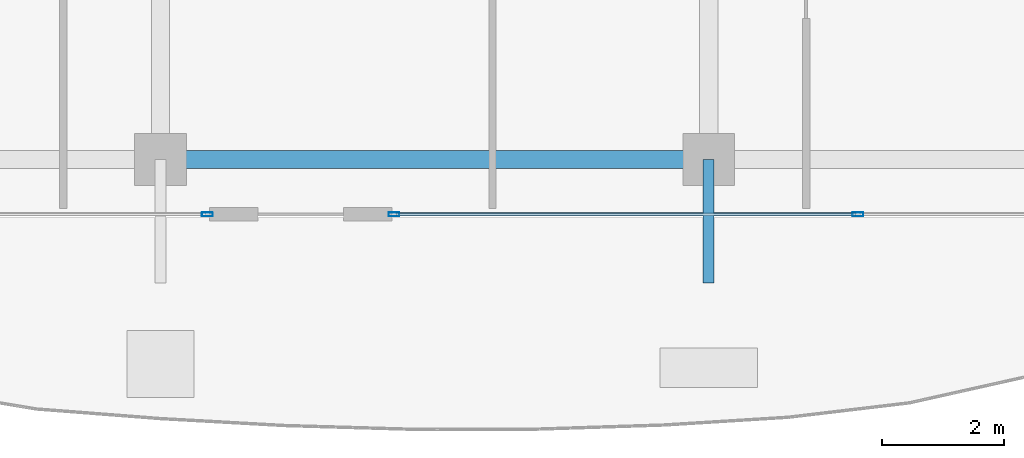
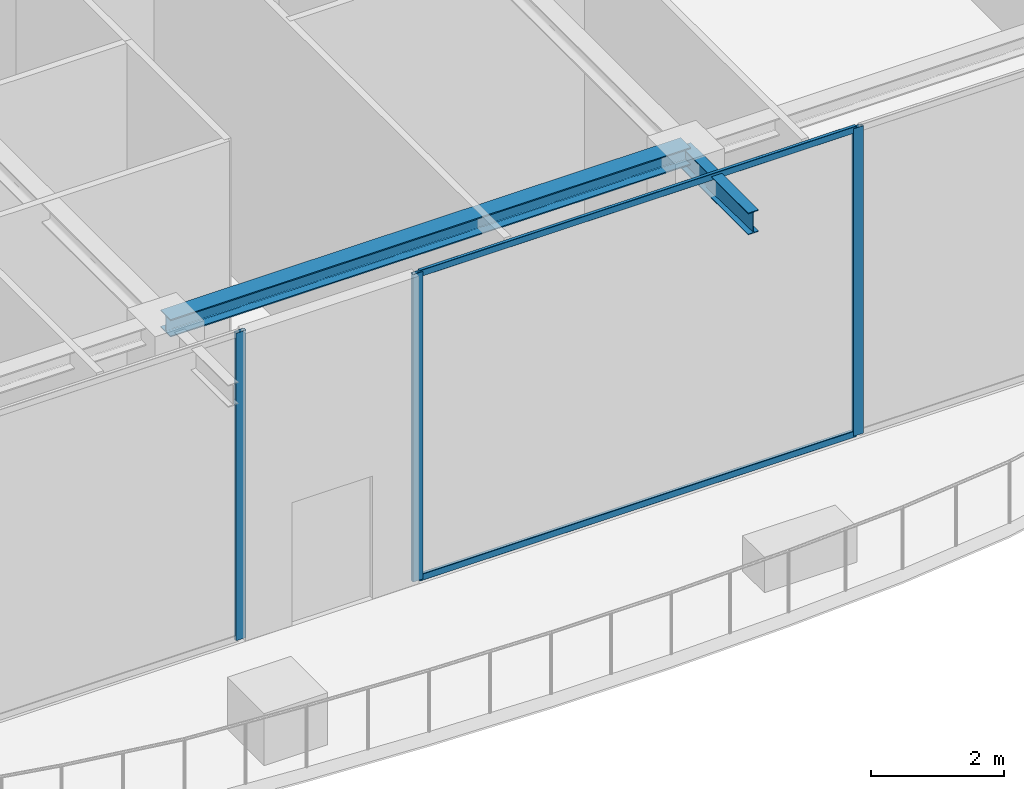
# One storey, part 6 of 38: 5 members, 2 beams, 2 elements without a shape of their own.
"""IFC4 building model written with IfcOpenShell, lengths in metres."""

from ifc_helpers import new_model, si_unit, direction, frame, origin, origin_2d, place, context, subcontext, project, spatial, hollow_rectangle, i_section, extrude, source, transform, mapped, material, layer, layer_set, material_profile, profile_set, type_object, element, aggregate, save


model = new_model("IFC4")

# Units and contexts
model_context = context("Model", 3, precision=1e-05, world=origin(), true_north=direction((0.0, 1.0)))
body_context = subcontext(model_context, "Body", "Model", "MODEL_VIEW")
ifc_project = project(units=[si_unit("LENGTHUNIT", "METRE"), si_unit("AREAUNIT", "SQUARE_METRE"), si_unit("VOLUMEUNIT", "CUBIC_METRE"), si_unit("PLANEANGLEUNIT", "RADIAN"), si_unit("MASSUNIT", "GRAM", prefix="KILO")], contexts=[model_context])

# Site, building, storey
site_placement = place(None, origin())
site = spatial("IfcSite", under=ifc_project, at=site_placement, CompositionType="ELEMENT")
building_placement = place(site_placement, origin())
building = spatial("IfcBuilding", under=site, at=building_placement, Name="Serunith Strait Residences", CompositionType="ELEMENT")
storey_placement = place(building_placement, frame((0.0, 0.0, 342.050048828125)))
storey = spatial("IfcBuildingStorey", under=building, at=storey_placement, Name="L85", CompositionType="ELEMENT", Elevation=342.050048828125)

# Beams
ifc_material_1 = material(Name="Steel S355J2", Category="steel")
ifc_material_profile_1 = material_profile(ifc_material_1, i_section(OverallWidth=0.300048828125, OverallDepth=0.320068359375, WebThickness=0.011474609375, FlangeThickness=0.0205078125, FilletRadius=0.027099609375, at=origin_2d()), Name="HEB 320")
ifc_profile_set_1 = profile_set([ifc_material_profile_1], Name="Steel S355J2")
beam_type_1 = type_object("IfcBeamType", Name="BM-HEB320", PredefinedType="BEAM", material=ifc_profile_set_1)
shared_shape_1 = source(origin(), body_context, "Body", "SweptSolid", [
    extrude(i_section(OverallWidth=0.300048828125, OverallDepth=0.320068359375, WebThickness=0.011474609375, FlangeThickness=0.0205078125, FilletRadius=0.027099609375, at=origin_2d()), origin(), (0.0, 0.0, 1.0), 9.0),
])
beam_1_placement = place(storey_placement, frame((27.89990234375, 4.89990234375, 5.47705078125), z_axis=(1.0, 0.0, 0.0), x_axis=(0.0, 1.0, 0.0)))
element("IfcBeam", 1, at=beam_1_placement, inside=storey, type_object=beam_type_1, Name="L85 Perimeter Ring Beam 02", PredefinedType="BEAM", context=body_context, shape_type="MappedRepresentation", body=[
    mapped(shared_shape_1, transform((0.0, 0.0, 0.0), scale=1.0)),
])
ifc_material_profile_2 = material_profile(ifc_material_1, i_section(OverallWidth=0.179931640625, OverallDepth=0.39990234375, WebThickness=0.008544921875, FlangeThickness=0.013427734375, FilletRadius=0.02099609375, at=origin_2d()), Name="IPE 400")
ifc_profile_set_2 = profile_set([ifc_material_profile_2], Name="Steel S355J2")
beam_type_2 = type_object("IfcBeamType", Name="BM-IPE400", PredefinedType="JOIST", material=ifc_profile_set_2)
shared_shape_2 = source(origin(), body_context, "Body", "SweptSolid", [
    extrude(i_section(OverallWidth=0.179931640625, OverallDepth=0.39990234375, WebThickness=0.008544921875, FlangeThickness=0.013427734375, FilletRadius=0.02099609375, at=origin_2d()), origin(), (0.0, 0.0, 1.0), 2.02978515625),
])
beam_2_placement = place(storey_placement, frame((36.89990234375, 4.89990234375, 5.406982421875), z_axis=(0.0, -1.0, 0.0), x_axis=(1.0, 0.0, 0.0)))
element("IfcBeam", 2, at=beam_2_placement, inside=storey, type_object=beam_type_2, Name="L86 Cantilevered Balcony Rib TC-S3", PredefinedType="JOIST", context=body_context, shape_type="MappedRepresentation", body=[
    mapped(shared_shape_2, transform((0.0, 0.0, 0.0), scale=1.0)),
])

# Curtain wall, members
ifc_material_2 = material(Name="Brushed Stainless-Silver Aluminium", Category="aluminium")
ifc_layer = layer(ifc_material_2, 0.199951171875, Name="Brushed Stainless-Silver Aluminium")
ifc_layer_set = layer_set([ifc_layer], Name="Brushed Stainless-Silver Aluminium")
curtain_wall_type = type_object("IfcCurtainWallType", Name="CW-SYS5", PredefinedType="NOTDEFINED", material=ifc_layer_set)
curtain_wall_1_placement = place(storey_placement, origin())
curtain_wall_1 = element("IfcCurtainWall", 3, at=curtain_wall_1_placement, inside=storey, type_object=curtain_wall_type, Name="L85 S Unitised Fritted Curtain Wall", PredefinedType="NOTDEFINED")
ifc_material_profile_3 = material_profile(ifc_material_2, hollow_rectangle(XDim=0.06005859375, YDim=0.1201171875, WallThickness=0.00341796875, InnerFilletRadius=0.00537109375, OuterFilletRadius=0.0087890625, at=origin_2d()), Name="ALU 120x60x3.5")
ifc_profile_set_3 = profile_set([ifc_material_profile_3], Name="Brushed Stainless-Silver Aluminium")
member_type_1 = type_object("IfcMemberType", Name="CW-SYS5-TRAN", PredefinedType="USERDEFINED", material=ifc_profile_set_3)
shared_shape_3 = source(origin(), body_context, "Body", "SweptSolid", [
    extrude(hollow_rectangle(XDim=0.06005859375, YDim=0.1201171875, WallThickness=0.00341796875, InnerFilletRadius=0.00537109375, OuterFilletRadius=0.0087890625, at=origin_2d()), origin(), (0.0, 0.0, 1.0), 7.552490234375),
])
member_1_placement = place(storey_placement, frame((31.764892578125, 4.0, 0.030029296875), z_axis=(1.0, 0.0, 0.0), x_axis=(0.0, 1.0, 0.0)))
member_1 = element("IfcMember", 4, at=member_1_placement, type_object=member_type_1, Name="CW-5 transom 1.1", ObjectType="TRANSOM", PredefinedType="USERDEFINED", context=body_context, shape_type="MappedRepresentation", body=[
    mapped(shared_shape_3, transform((0.0, 0.0, 0.0), scale=1.0)),
])
member_2_placement = place(storey_placement, frame((31.764892578125, 4.0, 5.594970703125), z_axis=(1.0, 0.0, 0.0), x_axis=(0.0, 1.0, 0.0)))
member_2 = element("IfcMember", 5, at=member_2_placement, type_object=member_type_1, Name="CW-5 transom 1.2", ObjectType="TRANSOM", PredefinedType="USERDEFINED", context=body_context, shape_type="MappedRepresentation", body=[
    mapped(shared_shape_3, transform((0.0, 0.0, 0.0), scale=1.0)),
])

# Curtain wall, member
curtain_wall_2_placement = place(storey_placement, origin())
curtain_wall_2 = element("IfcCurtainWall", 6, at=curtain_wall_2_placement, inside=storey, type_object=curtain_wall_type, Name="L85 S Unitised Fritted Curtain Wall", PredefinedType="NOTDEFINED")
ifc_material_profile_4 = material_profile(ifc_material_2, hollow_rectangle(XDim=0.06494140625, YDim=0.179931640625, WallThickness=0.00341796875, InnerFilletRadius=0.00537109375, OuterFilletRadius=0.0087890625, at=origin_2d()), Name="ALU 180x65x3.5")
ifc_profile_set_4 = profile_set([ifc_material_profile_4], Name="Brushed Stainless-Silver Aluminium")
member_type_2 = type_object("IfcMemberType", Name="CW-SYS5-MULL", PredefinedType="MULLION", material=ifc_profile_set_4)
shared_shape_4 = source(origin(), body_context, "Body", "SweptSolid", [
    extrude(hollow_rectangle(XDim=0.06494140625, YDim=0.179931640625, WallThickness=0.00341796875, InnerFilletRadius=0.00537109375, OuterFilletRadius=0.0087890625, at=origin_2d()), origin(), (0.0, 0.0, 1.0), 5.625),
])
member_3_placement = place(storey_placement, frame((28.66748046875, 4.0, 0.0), z_axis=(0.0, 0.0, 1.0), x_axis=(0.0, 1.0, 0.0)))
member_3 = element("IfcMember", 7, at=member_3_placement, type_object=member_type_2, Name="CW-5 mullion 3", PredefinedType="MULLION", context=body_context, shape_type="MappedRepresentation", body=[
    mapped(shared_shape_4, transform((0.0, 0.0, 0.0), scale=1.0)),
])
aggregate(curtain_wall_2, [member_3])

# Member
member_4_placement = place(storey_placement, frame((31.732421875, 4.0, 0.0), z_axis=(0.0, 0.0, 1.0), x_axis=(0.0, 1.0, 0.0)))
member_4 = element("IfcMember", 8, at=member_4_placement, type_object=member_type_2, Name="CW-5 mullion 1", PredefinedType="MULLION", context=body_context, shape_type="MappedRepresentation", body=[
    mapped(shared_shape_4, transform((0.0, 0.0, 0.0), scale=1.0)),
])

member_5_placement = place(storey_placement, frame((39.35009765625, 4.0, 0.0), z_axis=(0.0, 0.0, 1.0), x_axis=(0.0, 1.0, 0.0)))
member_5 = element("IfcMember", 9, at=member_5_placement, type_object=member_type_2, Name="CW-5 mullion 2", PredefinedType="MULLION", context=body_context, shape_type="MappedRepresentation", body=[
    mapped(shared_shape_4, transform((0.0, 0.0, 0.0), scale=1.0)),
])

aggregate(curtain_wall_1, [member_4, member_5, member_1, member_2])

save(model, "model.ifc")
